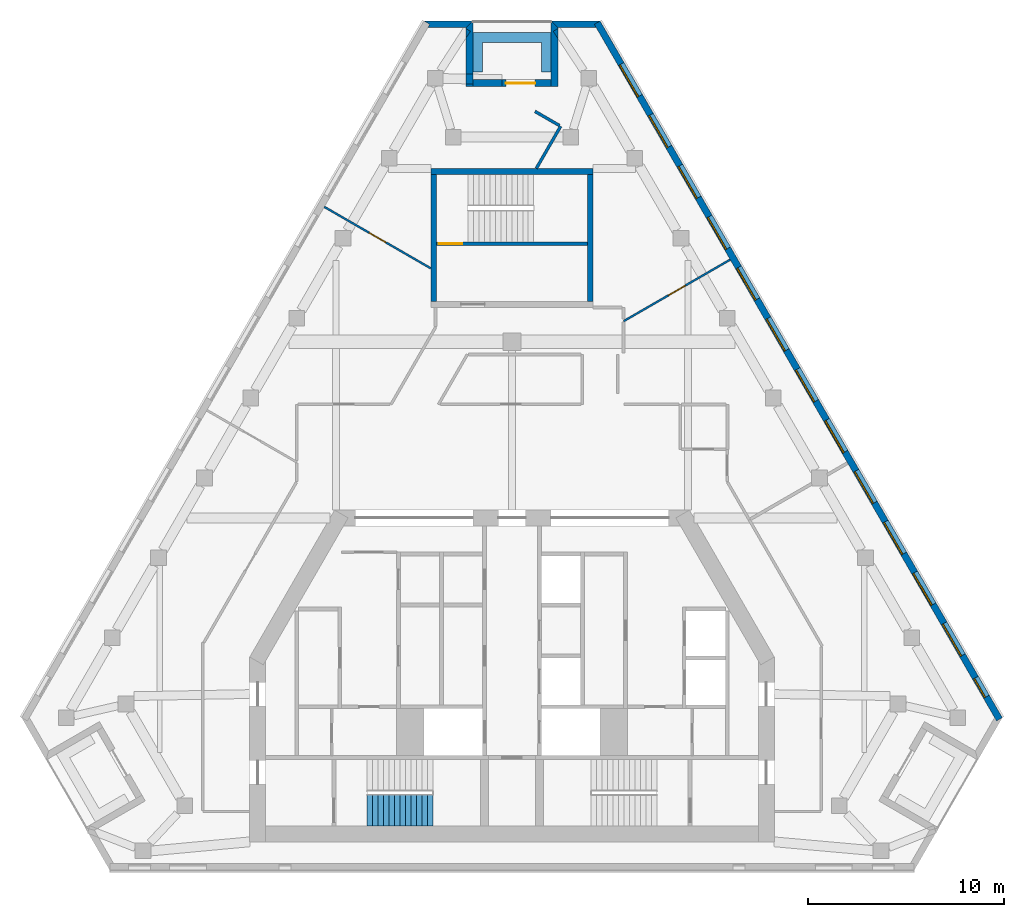
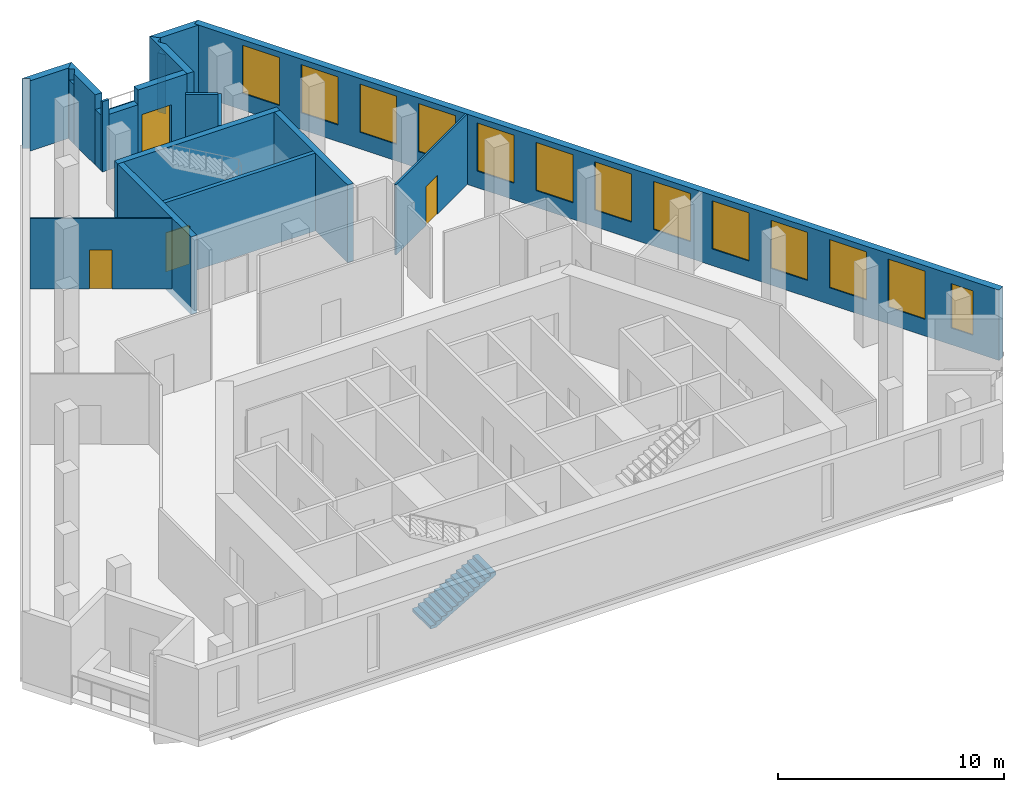
# One storey, part 6 of 8: 20 walls, 13 windows, 4 doors, 1 stair flight, 17 openings, 1 element without a shape of its own.
"""IFC4 building model written with IfcOpenShell, lengths in metres."""

from ifc_helpers import new_model, si_unit, direction, frame, frame_2d, origin, place, context, subcontext, project, spatial, polyline, rectangle, outline, extrude, material, layer, layer_set, type_object, element, fill, aggregate, save


model = new_model("IFC4")

# Units and contexts
model_context = context("Model", 3, precision=1e-05, world=origin(), true_north=direction((0.0, 1.0)))
body_context = subcontext(model_context, "Body", "Model", "MODEL_VIEW")
ifc_project = project(units=[si_unit("LENGTHUNIT", "METRE"), si_unit("AREAUNIT", "SQUARE_METRE"), si_unit("VOLUMEUNIT", "CUBIC_METRE"), si_unit("PLANEANGLEUNIT", "RADIAN"), si_unit("MASSUNIT", "GRAM", prefix="KILO")], contexts=[model_context])

# Site, building, storey
site_placement = place(None, origin())
site = spatial("IfcSite", under=ifc_project, at=site_placement, CompositionType="ELEMENT")
building_placement = place(site_placement, origin())
building = spatial("IfcBuilding", under=site, at=building_placement, Name="Fogline Exchange Tower", CompositionType="ELEMENT")
storey_placement = place(building_placement, frame((0.0, 0.0, 296.10009765625)))
storey = spatial("IfcBuildingStorey", under=building, at=storey_placement, Name="L67", CompositionType="ELEMENT", Elevation=296.10009765625)

# Wall, opening, door
ifc_material_1 = material(Name="Concrete C40", Category="concrete")
ifc_layer_1 = layer(ifc_material_1, 0.199951171875)
ifc_layer_set_1 = layer_set([ifc_layer_1], Name="CW20R")
wall_type_1 = type_object("IfcWallType", Name="CW20R", PredefinedType="SOLIDWALL", material=ifc_layer_set_1)
wall_1_placement = place(storey_placement, frame((-3.85009765625, 32.007080078125, -0.400146484375), z_axis=(0.0, 0.0, 1.0), x_axis=(1.0, 0.0, 0.0)))
wall_1 = element("IfcWall", 1, at=wall_1_placement, inside=storey, type_object=wall_type_1, Name="Stair enclosure wall ST3", PredefinedType="SOLIDWALL", context=body_context, shape_type="SweptSolid", body=[
    extrude(rectangle(XDim=7.7001953125, YDim=0.199951171875, at=frame_2d((3.85009765625, 0.0))), origin(), (0.0, 0.0, 1.0), 4.199951171875),
])
opening_1_placement = place(wall_1_placement, frame((0.10009765625, 0.0, 0.39990234375)))
opening_1 = element("IfcOpeningElement", 2, at=opening_1_placement, cuts=wall_1, Name="Opening T21-C024", PredefinedType="OPENING", context=body_context, shape_type="SweptSolid", body=[
    extrude(rectangle(XDim=1.199951171875, YDim=2.10009765625, at=frame_2d((0.60009765625, 1.050048828125))), frame((0.0, 0.10986328125, 0.0), z_axis=(0.0, -1.0, 0.0), x_axis=(1.0, 0.0, 0.0)), (0.0, 0.0, 1.0), 0.219970703125),
])
ifc_material_2 = material(Name="Steel and timber fire door", Category="steel")
door_type_1 = type_object("IfcDoorType", Name="D-ST1", OperationType="SINGLE_SWING_LEFT", PredefinedType="DOOR", material=ifc_material_2)
door_1_placement = place(opening_1_placement, origin())
door_1 = element("IfcDoor", 3, at=door_1_placement, inside=storey, type_object=door_type_1, Name="Stair door ST3", OperationType="SINGLE_SWING_LEFT", OverallHeight=2.10009765625, OverallWidth=1.199951171875, PredefinedType="DOOR", context=body_context, shape_type="SweptSolid", body=[
    extrude(rectangle(XDim=1.199951171875, YDim=2.10009765625, at=frame_2d((0.60009765625, 1.050048828125))), frame((0.0, 0.02490234375, 0.0), z_axis=(0.0, -1.0, 0.0), x_axis=(1.0, 0.0, 0.0)), (0.0, 0.0, 1.0), 0.050048828125),
])
fill(opening_1, door_1)

# Walls
ifc_layer_2 = layer(ifc_material_1, 0.300048828125)
ifc_layer_set_2 = layer_set([ifc_layer_2], Name="CW30")
wall_type_2 = type_object("IfcWallType", Name="CW30", PredefinedType="SOLIDWALL", material=ifc_layer_set_2)
wall_2_placement = place(storey_placement, frame((-4.14990234375, 35.70703125, -0.400146484375), z_axis=(0.0, 0.0, 1.0), x_axis=(1.0, 0.0, 0.0)))
element("IfcWall", 4, at=wall_2_placement, inside=storey, type_object=wall_type_2, Name="Stair enclosure wall ST3", PredefinedType="SOLIDWALL", context=body_context, shape_type="SweptSolid", body=[
    extrude(rectangle(XDim=8.2998046875, YDim=0.300048828125, at=frame_2d((4.14990234375, 0.0))), origin(), (0.0, 0.0, 1.0), 4.199951171875),
])
for number, where, z_axis, x_axis, name in (
    (5, (-4.0, 29.056884765625, -0.400146484375), (0.0, 0.0, 1.0), (0.0, 1.0, 0.0), "Stair enclosure wall ST3"),
    (6, (4.0, 29.056884765625, -0.400146484375), (0.0, 0.0, 1.0), (0.0, 1.0, 0.0), "Stair enclosure wall ST3"),
):
    element("IfcWall", number, at=place(storey_placement, frame(where, z_axis=z_axis, x_axis=x_axis)), inside=storey, type_object=wall_type_2, Name=name, PredefinedType="SOLIDWALL", context=body_context, shape_type="SweptSolid", body=[
        extrude(rectangle(XDim=6.5, YDim=0.300048828125, at=frame_2d((3.25, 0.0))), origin(), (0.0, 0.0, 1.0), 4.199951171875),
    ])

# Wall, openings, windows
ifc_material_3 = material(Name="Brick masonry", Category="masonry")
ifc_layer_3 = layer(ifc_material_3, 0.340087890625)
ifc_layer_set_3 = layer_set([ifc_layer_3], Name="FW1")
wall_type_3 = type_object("IfcWallType", Name="FW1", PredefinedType="SOLIDWALL", material=ifc_layer_set_3)
wall_3_placement = place(storey_placement, frame((24.905029296875, 7.709228515625, 0.0), z_axis=(0.0, 0.0, 1.0), x_axis=(-0.50000128873, 0.866024659735, 0.0)))
wall_3 = element("IfcWall", 7, at=wall_3_placement, inside=storey, type_object=wall_type_3, Name="Brick wall L67 E", PredefinedType="SOLIDWALL", context=body_context, shape_type="SweptSolid", body=[
    extrude(rectangle(XDim=41.1044921875, YDim=0.340087890625, at=frame_2d((20.55224609375, 0.0))), origin(), (0.0, 0.0, 1.0), 3.7998046875),
])
opening_2_placement = place(wall_3_placement, frame((3.776123046875, 0.0, 0.89990234375)))
opening_2 = element("IfcOpeningElement", 8, at=opening_2_placement, cuts=wall_3, Name="Opening W3", PredefinedType="OPENING", context=body_context, shape_type="SweptSolid", body=[
    extrude(rectangle(XDim=1.885009765625, YDim=2.60009765625, at=frame_2d((0.9423828125, 1.300048828125))), frame((0.0, 0.18017578125, 0.0), z_axis=(0.0, -1.0, 0.0), x_axis=(1.0, 0.0, 0.0)), (0.0, 0.0, 1.0), 0.360107421875),
])
opening_3_placement = place(wall_3_placement, frame((6.776123046875, 0.0, 0.89990234375)))
opening_3 = element("IfcOpeningElement", 9, at=opening_3_placement, cuts=wall_3, Name="Opening W3", PredefinedType="OPENING", context=body_context, shape_type="SweptSolid", body=[
    extrude(rectangle(XDim=1.885009765625, YDim=2.60009765625, at=frame_2d((0.9423828125, 1.300048828125))), frame((0.0, 0.18017578125, 0.0), z_axis=(0.0, -1.0, 0.0), x_axis=(1.0, 0.0, 0.0)), (0.0, 0.0, 1.0), 0.360107421875),
])
opening_4_placement = place(wall_3_placement, frame((9.776123046875, 0.0, 0.89990234375)))
opening_4 = element("IfcOpeningElement", 10, at=opening_4_placement, cuts=wall_3, Name="Opening W3", PredefinedType="OPENING", context=body_context, shape_type="SweptSolid", body=[
    extrude(rectangle(XDim=1.885009765625, YDim=2.60009765625, at=frame_2d((0.9423828125, 1.300048828125))), frame((0.0, 0.18017578125, 0.0), z_axis=(0.0, -1.0, 0.0), x_axis=(1.0, 0.0, 0.0)), (0.0, 0.0, 1.0), 0.360107421875),
])
opening_5_placement = place(wall_3_placement, frame((12.776123046875, 0.0, 0.89990234375)))
opening_5 = element("IfcOpeningElement", 11, at=opening_5_placement, cuts=wall_3, Name="Opening W3", PredefinedType="OPENING", context=body_context, shape_type="SweptSolid", body=[
    extrude(rectangle(XDim=1.885009765625, YDim=2.60009765625, at=frame_2d((0.9423828125, 1.300048828125))), frame((0.0, 0.18017578125, 0.0), z_axis=(0.0, -1.0, 0.0), x_axis=(1.0, 0.0, 0.0)), (0.0, 0.0, 1.0), 0.360107421875),
])
opening_6_placement = place(wall_3_placement, frame((15.776123046875, 0.0, 0.89990234375)))
opening_6 = element("IfcOpeningElement", 12, at=opening_6_placement, cuts=wall_3, Name="Opening W3", PredefinedType="OPENING", context=body_context, shape_type="SweptSolid", body=[
    extrude(rectangle(XDim=1.885009765625, YDim=2.60009765625, at=frame_2d((0.9423828125, 1.300048828125))), frame((0.0, 0.18017578125, 0.0), z_axis=(0.0, -1.0, 0.0), x_axis=(1.0, 0.0, 0.0)), (0.0, 0.0, 1.0), 0.360107421875),
])
opening_7_placement = place(wall_3_placement, frame((18.776123046875, 0.0, 0.89990234375)))
opening_7 = element("IfcOpeningElement", 13, at=opening_7_placement, cuts=wall_3, Name="Opening W3", PredefinedType="OPENING", context=body_context, shape_type="SweptSolid", body=[
    extrude(rectangle(XDim=1.885009765625, YDim=2.60009765625, at=frame_2d((0.9423828125, 1.300048828125))), frame((0.0, 0.18017578125, 0.0), z_axis=(0.0, -1.0, 0.0), x_axis=(1.0, 0.0, 0.0)), (0.0, 0.0, 1.0), 0.360107421875),
])
opening_8_placement = place(wall_3_placement, frame((21.776123046875, 0.0, 0.89990234375)))
opening_8 = element("IfcOpeningElement", 14, at=opening_8_placement, cuts=wall_3, Name="Opening W3", PredefinedType="OPENING", context=body_context, shape_type="SweptSolid", body=[
    extrude(rectangle(XDim=1.885009765625, YDim=2.60009765625, at=frame_2d((0.9423828125, 1.300048828125))), frame((0.0, 0.18017578125, 0.0), z_axis=(0.0, -1.0, 0.0), x_axis=(1.0, 0.0, 0.0)), (0.0, 0.0, 1.0), 0.360107421875),
])
opening_9_placement = place(wall_3_placement, frame((24.776123046875, 0.0, 0.89990234375)))
opening_9 = element("IfcOpeningElement", 15, at=opening_9_placement, cuts=wall_3, Name="Opening W3", PredefinedType="OPENING", context=body_context, shape_type="SweptSolid", body=[
    extrude(rectangle(XDim=1.885009765625, YDim=2.60009765625, at=frame_2d((0.9423828125, 1.300048828125))), frame((0.0, 0.18017578125, 0.0), z_axis=(0.0, -1.0, 0.0), x_axis=(1.0, 0.0, 0.0)), (0.0, 0.0, 1.0), 0.360107421875),
])
opening_10_placement = place(wall_3_placement, frame((27.776123046875, 0.0, 0.89990234375)))
opening_10 = element("IfcOpeningElement", 16, at=opening_10_placement, cuts=wall_3, Name="Opening W3", PredefinedType="OPENING", context=body_context, shape_type="SweptSolid", body=[
    extrude(rectangle(XDim=1.885009765625, YDim=2.60009765625, at=frame_2d((0.9423828125, 1.300048828125))), frame((0.0, 0.18017578125, 0.0), z_axis=(0.0, -1.0, 0.0), x_axis=(1.0, 0.0, 0.0)), (0.0, 0.0, 1.0), 0.360107421875),
])
opening_11_placement = place(wall_3_placement, frame((30.776123046875, 0.0, 0.89990234375)))
opening_11 = element("IfcOpeningElement", 17, at=opening_11_placement, cuts=wall_3, Name="Opening W3", PredefinedType="OPENING", context=body_context, shape_type="SweptSolid", body=[
    extrude(rectangle(XDim=1.885009765625, YDim=2.60009765625, at=frame_2d((0.9423828125, 1.300048828125))), frame((0.0, 0.18017578125, 0.0), z_axis=(0.0, -1.0, 0.0), x_axis=(1.0, 0.0, 0.0)), (0.0, 0.0, 1.0), 0.360107421875),
])
opening_12_placement = place(wall_3_placement, frame((33.776123046875, 0.0, 0.89990234375)))
opening_12 = element("IfcOpeningElement", 18, at=opening_12_placement, cuts=wall_3, Name="Opening W3", PredefinedType="OPENING", context=body_context, shape_type="SweptSolid", body=[
    extrude(rectangle(XDim=1.885009765625, YDim=2.60009765625, at=frame_2d((0.9423828125, 1.300048828125))), frame((0.0, 0.18017578125, 0.0), z_axis=(0.0, -1.0, 0.0), x_axis=(1.0, 0.0, 0.0)), (0.0, 0.0, 1.0), 0.360107421875),
])
opening_13_placement = place(wall_3_placement, frame((36.776123046875, 0.0, 0.89990234375)))
opening_13 = element("IfcOpeningElement", 19, at=opening_13_placement, cuts=wall_3, Name="Opening W3", PredefinedType="OPENING", context=body_context, shape_type="SweptSolid", body=[
    extrude(rectangle(XDim=1.885009765625, YDim=2.60009765625, at=frame_2d((0.9423828125, 1.300048828125))), frame((0.0, 0.18017578125, 0.0), z_axis=(0.0, -1.0, 0.0), x_axis=(1.0, 0.0, 0.0)), (0.0, 0.0, 1.0), 0.360107421875),
])
opening_14_placement = place(wall_3_placement, frame((1.33056640625, 0.0, 0.89990234375)))
opening_14 = element("IfcOpeningElement", 20, at=opening_14_placement, cuts=wall_3, Name="Opening W4", PredefinedType="OPENING", context=body_context, shape_type="SweptSolid", body=[
    extrude(rectangle(XDim=1.114990234375, YDim=2.39990234375, at=frame_2d((0.5576171875, 1.199951171875))), frame((0.0, 0.18017578125, 0.0), z_axis=(0.0, -1.0, 0.0), x_axis=(1.0, 0.0, 0.0)), (0.0, 0.0, 1.0), 0.360107421875),
])
ifc_material_4 = material(Name="Aluminium and glass", Category="aluminium")
window_type_1 = type_object("IfcWindowType", Name="W3", PartitioningType="SINGLE_PANEL", PredefinedType="WINDOW", material=ifc_material_4)
window_1_placement = place(opening_2_placement, origin())
window_1 = element("IfcWindow", 21, at=window_1_placement, inside=storey, type_object=window_type_1, Name="W3 W3", OverallHeight=2.60009765625, OverallWidth=1.885009765625, PartitioningType="SINGLE_PANEL", PredefinedType="WINDOW", context=body_context, shape_type="SweptSolid", body=[
    extrude(rectangle(XDim=1.885009765625, YDim=2.60009765625, at=frame_2d((0.9423828125, 1.300048828125))), frame((0.0, 0.110107421875, 0.0), z_axis=(0.0, -1.0, 0.0), x_axis=(1.0, 0.0, 0.0)), (0.0, 0.0, 1.0), 0.06005859375),
])
fill(opening_2, window_1)
window_2_placement = place(opening_3_placement, origin())
window_2 = element("IfcWindow", 22, at=window_2_placement, inside=storey, type_object=window_type_1, Name="W3 W3", OverallHeight=2.60009765625, OverallWidth=1.885009765625, PartitioningType="SINGLE_PANEL", PredefinedType="WINDOW", context=body_context, shape_type="SweptSolid", body=[
    extrude(rectangle(XDim=1.885009765625, YDim=2.60009765625, at=frame_2d((0.9423828125, 1.300048828125))), frame((0.0, 0.110107421875, 0.0), z_axis=(0.0, -1.0, 0.0), x_axis=(1.0, 0.0, 0.0)), (0.0, 0.0, 1.0), 0.06005859375),
])
fill(opening_3, window_2)
window_3_placement = place(opening_4_placement, origin())
window_3 = element("IfcWindow", 23, at=window_3_placement, inside=storey, type_object=window_type_1, Name="W3 W3", OverallHeight=2.60009765625, OverallWidth=1.885009765625, PartitioningType="SINGLE_PANEL", PredefinedType="WINDOW", context=body_context, shape_type="SweptSolid", body=[
    extrude(rectangle(XDim=1.885009765625, YDim=2.60009765625, at=frame_2d((0.9423828125, 1.300048828125))), frame((0.0, 0.110107421875, 0.0), z_axis=(0.0, -1.0, 0.0), x_axis=(1.0, 0.0, 0.0)), (0.0, 0.0, 1.0), 0.06005859375),
])
fill(opening_4, window_3)
window_4_placement = place(opening_5_placement, origin())
window_4 = element("IfcWindow", 24, at=window_4_placement, inside=storey, type_object=window_type_1, Name="W3 W3", OverallHeight=2.60009765625, OverallWidth=1.885009765625, PartitioningType="SINGLE_PANEL", PredefinedType="WINDOW", context=body_context, shape_type="SweptSolid", body=[
    extrude(rectangle(XDim=1.885009765625, YDim=2.60009765625, at=frame_2d((0.9423828125, 1.300048828125))), frame((0.0, 0.110107421875, 0.0), z_axis=(0.0, -1.0, 0.0), x_axis=(1.0, 0.0, 0.0)), (0.0, 0.0, 1.0), 0.06005859375),
])
fill(opening_5, window_4)
window_5_placement = place(opening_6_placement, origin())
window_5 = element("IfcWindow", 25, at=window_5_placement, inside=storey, type_object=window_type_1, Name="W3 W3", OverallHeight=2.60009765625, OverallWidth=1.885009765625, PartitioningType="SINGLE_PANEL", PredefinedType="WINDOW", context=body_context, shape_type="SweptSolid", body=[
    extrude(rectangle(XDim=1.885009765625, YDim=2.60009765625, at=frame_2d((0.9423828125, 1.300048828125))), frame((0.0, 0.110107421875, 0.0), z_axis=(0.0, -1.0, 0.0), x_axis=(1.0, 0.0, 0.0)), (0.0, 0.0, 1.0), 0.06005859375),
])
fill(opening_6, window_5)
window_6_placement = place(opening_7_placement, origin())
window_6 = element("IfcWindow", 26, at=window_6_placement, inside=storey, type_object=window_type_1, Name="W3 W3", OverallHeight=2.60009765625, OverallWidth=1.885009765625, PartitioningType="SINGLE_PANEL", PredefinedType="WINDOW", context=body_context, shape_type="SweptSolid", body=[
    extrude(rectangle(XDim=1.885009765625, YDim=2.60009765625, at=frame_2d((0.9423828125, 1.300048828125))), frame((0.0, 0.110107421875, 0.0), z_axis=(0.0, -1.0, 0.0), x_axis=(1.0, 0.0, 0.0)), (0.0, 0.0, 1.0), 0.06005859375),
])
fill(opening_7, window_6)
window_7_placement = place(opening_8_placement, origin())
window_7 = element("IfcWindow", 27, at=window_7_placement, inside=storey, type_object=window_type_1, Name="W3 W3", OverallHeight=2.60009765625, OverallWidth=1.885009765625, PartitioningType="SINGLE_PANEL", PredefinedType="WINDOW", context=body_context, shape_type="SweptSolid", body=[
    extrude(rectangle(XDim=1.885009765625, YDim=2.60009765625, at=frame_2d((0.9423828125, 1.300048828125))), frame((0.0, 0.110107421875, 0.0), z_axis=(0.0, -1.0, 0.0), x_axis=(1.0, 0.0, 0.0)), (0.0, 0.0, 1.0), 0.06005859375),
])
fill(opening_8, window_7)
window_8_placement = place(opening_9_placement, origin())
window_8 = element("IfcWindow", 28, at=window_8_placement, inside=storey, type_object=window_type_1, Name="W3 W3", OverallHeight=2.60009765625, OverallWidth=1.885009765625, PartitioningType="SINGLE_PANEL", PredefinedType="WINDOW", context=body_context, shape_type="SweptSolid", body=[
    extrude(rectangle(XDim=1.885009765625, YDim=2.60009765625, at=frame_2d((0.9423828125, 1.300048828125))), frame((0.0, 0.110107421875, 0.0), z_axis=(0.0, -1.0, 0.0), x_axis=(1.0, 0.0, 0.0)), (0.0, 0.0, 1.0), 0.06005859375),
])
fill(opening_9, window_8)
window_9_placement = place(opening_10_placement, origin())
window_9 = element("IfcWindow", 29, at=window_9_placement, inside=storey, type_object=window_type_1, Name="W3 W3", OverallHeight=2.60009765625, OverallWidth=1.885009765625, PartitioningType="SINGLE_PANEL", PredefinedType="WINDOW", context=body_context, shape_type="SweptSolid", body=[
    extrude(rectangle(XDim=1.885009765625, YDim=2.60009765625, at=frame_2d((0.9423828125, 1.300048828125))), frame((0.0, 0.110107421875, 0.0), z_axis=(0.0, -1.0, 0.0), x_axis=(1.0, 0.0, 0.0)), (0.0, 0.0, 1.0), 0.06005859375),
])
fill(opening_10, window_9)
window_10_placement = place(opening_11_placement, origin())
window_10 = element("IfcWindow", 30, at=window_10_placement, inside=storey, type_object=window_type_1, Name="W3 W3", OverallHeight=2.60009765625, OverallWidth=1.885009765625, PartitioningType="SINGLE_PANEL", PredefinedType="WINDOW", context=body_context, shape_type="SweptSolid", body=[
    extrude(rectangle(XDim=1.885009765625, YDim=2.60009765625, at=frame_2d((0.9423828125, 1.300048828125))), frame((0.0, 0.110107421875, 0.0), z_axis=(0.0, -1.0, 0.0), x_axis=(1.0, 0.0, 0.0)), (0.0, 0.0, 1.0), 0.06005859375),
])
fill(opening_11, window_10)
window_11_placement = place(opening_12_placement, origin())
window_11 = element("IfcWindow", 31, at=window_11_placement, inside=storey, type_object=window_type_1, Name="W3 W3", OverallHeight=2.60009765625, OverallWidth=1.885009765625, PartitioningType="SINGLE_PANEL", PredefinedType="WINDOW", context=body_context, shape_type="SweptSolid", body=[
    extrude(rectangle(XDim=1.885009765625, YDim=2.60009765625, at=frame_2d((0.9423828125, 1.300048828125))), frame((0.0, 0.110107421875, 0.0), z_axis=(0.0, -1.0, 0.0), x_axis=(1.0, 0.0, 0.0)), (0.0, 0.0, 1.0), 0.06005859375),
])
fill(opening_12, window_11)
window_12_placement = place(opening_13_placement, origin())
window_12 = element("IfcWindow", 32, at=window_12_placement, inside=storey, type_object=window_type_1, Name="W3 W3", OverallHeight=2.60009765625, OverallWidth=1.885009765625, PartitioningType="SINGLE_PANEL", PredefinedType="WINDOW", context=body_context, shape_type="SweptSolid", body=[
    extrude(rectangle(XDim=1.885009765625, YDim=2.60009765625, at=frame_2d((0.9423828125, 1.300048828125))), frame((0.0, 0.110107421875, 0.0), z_axis=(0.0, -1.0, 0.0), x_axis=(1.0, 0.0, 0.0)), (0.0, 0.0, 1.0), 0.06005859375),
])
fill(opening_13, window_12)
window_type_2 = type_object("IfcWindowType", Name="W4", PartitioningType="SINGLE_PANEL", PredefinedType="WINDOW", material=ifc_material_4)
window_13_placement = place(opening_14_placement, origin())
window_13 = element("IfcWindow", 33, at=window_13_placement, inside=storey, type_object=window_type_2, Name="W4 W4", OverallHeight=2.39990234375, OverallWidth=1.114990234375, PartitioningType="SINGLE_PANEL", PredefinedType="WINDOW", context=body_context, shape_type="SweptSolid", body=[
    extrude(rectangle(XDim=1.114990234375, YDim=2.39990234375, at=frame_2d((0.5576171875, 1.199951171875))), frame((0.0, 0.110107421875, 0.0), z_axis=(0.0, -1.0, 0.0), x_axis=(1.0, 0.0, 0.0)), (0.0, 0.0, 1.0), 0.06005859375),
])
fill(opening_14, window_13)

# Walls
wall_4_placement = place(storey_placement, origin())
element("IfcWall", 34, at=wall_4_placement, inside=storey, type_object=wall_type_3, Name="Brick wall L67 N-c1", PredefinedType="SOLIDWALL", context=body_context, shape_type="SweptSolid", body=[
    extrude(outline(polyline([(1.9990234375, 43.392333984375), (4.5009765625, 43.392333984375), (4.501220703125, 43.3916015625), (4.206298828125, 43.221435546875), (4.3046875, 43.051025390625), (2.33984375, 43.051025390625), (1.998779296875, 43.39208984375), (1.9990234375, 43.392333984375)])), origin(), (0.0, 0.0, 1.0), 3.7998046875),
])
wall_5_placement = place(storey_placement, origin())
element("IfcWall", 35, at=wall_5_placement, inside=storey, type_object=wall_type_3, Name="Brick wall L67 N-s1", PredefinedType="SOLIDWALL", context=body_context, shape_type="SweptSolid", body=[
    extrude(outline(polyline([(2.340576171875, 42.503173828125), (2.107177734375, 42.859130859375), (2.340576171875, 43.012451171875), (2.340576171875, 42.503173828125)])), origin(), (0.0, 0.0, 1.0), 3.199951171875),
])
wall_6_placement = place(storey_placement, origin())
element("IfcWall", 36, at=wall_6_placement, inside=storey, type_object=wall_type_3, Name="Brick wall L67 N-s1", PredefinedType="SOLIDWALL", context=body_context, shape_type="SweptSolid", body=[
    extrude(outline(polyline([(1.99951171875, 40.051025390625), (1.99951171875, 43.392578125), (1.999755859375, 43.392822265625), (2.340576171875, 43.052001953125), (2.340576171875, 43.012451171875), (2.107177734375, 42.859130859375), (2.340576171875, 42.503173828125), (2.340576171875, 40.051025390625), (1.99951171875, 40.051025390625)])), origin(), (0.0, 0.0, 1.0), 3.7998046875),
])

# Wall, opening, door
wall_7_placement = place(storey_placement, frame((2.0, 40.2216796875, 0.0), z_axis=(0.0, 0.0, 1.0), x_axis=(-1.0, 0.0, 0.0)))
wall_7 = element("IfcWall", 37, at=wall_7_placement, inside=storey, type_object=wall_type_3, Name="Brick wall L67 N-bk", PredefinedType="SOLIDWALL", context=body_context, shape_type="SweptSolid", body=[
    extrude(rectangle(XDim=2.51416015625, YDim=0.340087890625, at=frame_2d((1.257080078125, 0.0))), origin(), (0.0, 0.0, 1.0), 3.7998046875),
])
opening_15_placement = place(wall_7_placement, frame((0.81396484375, 0.0, 0.0)))
opening_15 = element("IfcOpeningElement", 38, at=opening_15_placement, cuts=wall_7, Name="Opening T21-E141", PredefinedType="OPENING", context=body_context, shape_type="SweptSolid", body=[
    extrude(rectangle(XDim=1.5, YDim=2.39990234375, at=frame_2d((0.75, 1.199951171875))), frame((0.0, 0.18017578125, 0.0), z_axis=(0.0, -1.0, 0.0), x_axis=(1.0, 0.0, 0.0)), (0.0, 0.0, 1.0), 0.360107421875),
])
door_type_2 = type_object("IfcDoorType", Name="ED4", OperationType="SINGLE_SWING_LEFT", PredefinedType="DOOR", material=ifc_material_4)
door_2_placement = place(opening_15_placement, frame((1.5, 0.0, 0.0), z_axis=(0.0, 0.0, 1.0), x_axis=(-1.0, 0.0, 0.0)))
door_2 = element("IfcDoor", 39, at=door_2_placement, inside=storey, type_object=door_type_2, Name="Balcony door L67 N", OperationType="DOUBLE_DOOR_SINGLE_SWING", OverallHeight=2.39990234375, OverallWidth=1.5, PredefinedType="DOOR", context=body_context, shape_type="SweptSolid", body=[
    extrude(rectangle(XDim=1.5, YDim=2.39990234375, at=frame_2d((0.75, 1.199951171875))), frame((0.0, 0.02490234375, 0.0), z_axis=(0.0, -1.0, 0.0), x_axis=(1.0, 0.0, 0.0)), (0.0, 0.0, 1.0), 0.050048828125),
])
fill(opening_15, door_2)

# Walls
wall_8_placement = place(storey_placement, frame((-0.51416015625, 40.2216796875, 0.0), z_axis=(0.0, 0.0, 1.0), x_axis=(-1.0, 0.0, 0.0)))
element("IfcWall", 40, at=wall_8_placement, inside=storey, type_object=wall_type_3, Name="Brick wall L67 N-bk", PredefinedType="SOLIDWALL", context=body_context, shape_type="SweptSolid", body=[
    extrude(rectangle(XDim=1.48583984375, YDim=0.340087890625, at=frame_2d((0.742919921875, 0.0))), origin(), (0.0, 0.0, 1.0), 3.0),
])
wall_9_placement = place(storey_placement, origin())
element("IfcWall", 41, at=wall_9_placement, inside=storey, type_object=wall_type_3, Name="Brick wall L67 N-s2", PredefinedType="SOLIDWALL", context=body_context, shape_type="SweptSolid", body=[
    extrude(outline(polyline([(-1.99951171875, 40.174560546875), (-2.340576171875, 40.180419921875), (-2.340576171875, 40.680419921875), (-1.99951171875, 40.6748046875), (-1.99951171875, 40.174560546875)])), origin(), (0.0, 0.0, 1.0), 3.0),
])
wall_10_placement = place(storey_placement, origin())
element("IfcWall", 42, at=wall_10_placement, inside=storey, type_object=wall_type_3, Name="Brick wall L67 N-s2", PredefinedType="SOLIDWALL", context=body_context, shape_type="SweptSolid", body=[
    extrude(outline(polyline([(-2.340576171875, 43.00146484375), (-2.126953125, 42.86328125), (-2.340576171875, 42.533203125), (-2.340576171875, 43.00146484375)])), origin(), (0.0, 0.0, 1.0), 3.199951171875),
])
wall_11_placement = place(storey_placement, origin())
element("IfcWall", 43, at=wall_11_placement, inside=storey, type_object=wall_type_3, Name="Brick wall L67 N-s2", PredefinedType="SOLIDWALL", context=body_context, shape_type="SweptSolid", body=[
    extrude(outline(polyline([(-2.340576171875, 40.680419921875), (-2.340576171875, 42.533203125), (-2.126953125, 42.86328125), (-2.340576171875, 43.00146484375), (-2.340576171875, 43.052001953125), (-1.999755859375, 43.392822265625), (-1.99951171875, 43.392578125), (-1.99951171875, 40.6748046875), (-2.340576171875, 40.680419921875)])), origin(), (0.0, 0.0, 1.0), 3.7998046875),
])
wall_12_placement = place(storey_placement, origin())
element("IfcWall", 44, at=wall_12_placement, inside=storey, type_object=wall_type_3, Name="Brick wall L67 N-s2", PredefinedType="SOLIDWALL", context=body_context, shape_type="SweptSolid", body=[
    extrude(outline(polyline([(-2.340576171875, 40.051025390625), (-2.340576171875, 40.180419921875), (-1.99951171875, 40.174560546875), (-1.99951171875, 40.051025390625), (-2.340576171875, 40.051025390625)])), origin(), (0.0, 0.0, 1.0), 3.7998046875),
])
wall_13_placement = place(storey_placement, origin())
element("IfcWall", 45, at=wall_13_placement, inside=storey, type_object=wall_type_3, Name="Brick wall L67 N-c2", PredefinedType="SOLIDWALL", context=body_context, shape_type="SweptSolid", body=[
    extrude(outline(polyline([(-4.3046875, 43.051025390625), (-4.206298828125, 43.221435546875), (-4.501220703125, 43.3916015625), (-4.5009765625, 43.392333984375), (-1.9990234375, 43.392333984375), (-1.998779296875, 43.39208984375), (-2.33984375, 43.051025390625), (-4.3046875, 43.051025390625)])), origin(), (0.0, 0.0, 1.0), 3.7998046875),
])
ifc_material_5 = material(Name="Concrete C30", Category="concrete")
ifc_layer_4 = layer(ifc_material_5, 0.199951171875)
ifc_layer_set_4 = layer_set([ifc_layer_4], Name="PL1")
wall_type_4 = type_object("IfcWallType", Name="PL1", PredefinedType="USERDEFINED", material=ifc_layer_set_4)
wall_14_placement = place(storey_placement, origin())
element("IfcWall", 46, at=wall_14_placement, inside=storey, type_object=wall_type_4, Name="PLANTER balcony L67 N", ObjectType="PLANTER", PredefinedType="USERDEFINED", context=body_context, shape_type="SweptSolid", body=[
    extrude(outline(polyline([(-1.5, 42.791748046875), (-2.0, 42.791748046875), (-2.0, 42.291748046875), (-2.0, 40.791748046875), (-1.5, 40.791748046875), (-1.5, 42.291748046875), (1.5, 42.291748046875), (1.5, 40.791748046875), (2.0, 40.791748046875), (2.0, 42.291748046875), (2.0, 42.791748046875), (1.5, 42.791748046875), (-1.5, 42.791748046875)])), origin(), (0.0, 0.0, 1.0), 1.099853515625),
])

# Wall, opening, door
ifc_material_6 = material(Name="Plasterboard partition, 2 layers each side on steel studs", Category="steel")
ifc_layer_5 = layer(ifc_material_6, 0.10009765625)
ifc_layer_set_5 = layer_set([ifc_layer_5], Name="PW1")
wall_type_5 = type_object("IfcWallType", Name="PW1", PredefinedType="PARTITIONING", material=ifc_layer_set_5)
wall_15_placement = place(storey_placement, frame((5.699951171875, 28.050537109375, 0.0), z_axis=(0.0, 0.0, 1.0), x_axis=(0.866020798945, 0.500007975732, 0.0)))
wall_15 = element("IfcWall", 47, at=wall_15_placement, inside=storey, type_object=wall_type_5, Name="wall-L67-W027", PredefinedType="PARTITIONING", context=body_context, shape_type="SweptSolid", body=[
    extrude(rectangle(XDim=6.29150390625, YDim=0.10009765625, at=frame_2d((3.145751953125, 0.0))), origin(), (0.0, 0.0, 1.0), 3.7998046875),
])
opening_16_placement = place(wall_15_placement, frame((2.6455078125, 0.0, 0.0)))
opening_16 = element("IfcOpeningElement", 48, at=opening_16_placement, cuts=wall_15, Name="Opening T21-D007", PredefinedType="OPENING", context=body_context, shape_type="SweptSolid", body=[
    extrude(rectangle(XDim=1.0, YDim=2.10009765625, at=frame_2d((0.5, 1.050048828125))), frame((0.0, 0.06005859375, 0.0), z_axis=(0.0, -1.0, 0.0), x_axis=(1.0, 0.0, 0.0)), (0.0, 0.0, 1.0), 0.1201171875),
])
ifc_material_7 = material(Name="Timber door leaf with steel frame", Category="steel")
door_type_3 = type_object("IfcDoorType", Name="D1", OperationType="SINGLE_SWING_LEFT", PredefinedType="DOOR", material=ifc_material_7)
door_3_placement = place(opening_16_placement, origin())
door_3 = element("IfcDoor", 49, at=door_3_placement, inside=storey, type_object=door_type_3, Name="door-L67-D007", OperationType="SINGLE_SWING_LEFT", OverallHeight=2.10009765625, OverallWidth=1.0, PredefinedType="DOOR", context=body_context, shape_type="SweptSolid", body=[
    extrude(rectangle(XDim=1.0, YDim=2.10009765625, at=frame_2d((0.5, 1.050048828125))), frame((0.0, 0.02490234375, 0.0), z_axis=(0.0, -1.0, 0.0), x_axis=(1.0, 0.0, 0.0)), (0.0, 0.0, 1.0), 0.050048828125),
])
fill(opening_16, door_3)

wall_16_placement = place(storey_placement, frame((-4.14990234375, 30.752685546875, 0.0), z_axis=(0.0, 0.0, 1.0), x_axis=(-0.866039337855, 0.499975864706, 0.0)))
wall_16 = element("IfcWall", 50, at=wall_16_placement, inside=storey, type_object=wall_type_5, Name="wall-L67-W032", PredefinedType="PARTITIONING", context=body_context, shape_type="SweptSolid", body=[
    extrude(rectangle(XDim=6.282470703125, YDim=0.10009765625, at=frame_2d((3.14111328125, 0.0))), origin(), (0.0, 0.0, 1.0), 3.7998046875),
])
opening_17_placement = place(wall_16_placement, frame((2.641357421875, 0.0, 0.0)))
opening_17 = element("IfcOpeningElement", 51, at=opening_17_placement, cuts=wall_16, Name="Opening T21-D008", PredefinedType="OPENING", context=body_context, shape_type="SweptSolid", body=[
    extrude(rectangle(XDim=1.0, YDim=2.10009765625, at=frame_2d((0.5, 1.050048828125))), frame((0.0, 0.06005859375, 0.0), z_axis=(0.0, -1.0, 0.0), x_axis=(1.0, 0.0, 0.0)), (0.0, 0.0, 1.0), 0.1201171875),
])
door_4_placement = place(opening_17_placement, frame((1.0, 0.0, 0.0), z_axis=(0.0, 0.0, 1.0), x_axis=(-1.0, 0.0, 0.0)))
door_4 = element("IfcDoor", 52, at=door_4_placement, inside=storey, type_object=door_type_3, Name="door-L67-D008", OperationType="SINGLE_SWING_RIGHT", OverallHeight=2.10009765625, OverallWidth=1.0, PredefinedType="DOOR", context=body_context, shape_type="SweptSolid", body=[
    extrude(rectangle(XDim=1.0, YDim=2.10009765625, at=frame_2d((0.5, 1.050048828125))), frame((0.0, 0.02490234375, 0.0), z_axis=(0.0, -1.0, 0.0), x_axis=(1.0, 0.0, 0.0)), (0.0, 0.0, 1.0), 0.050048828125),
])
fill(opening_17, door_4)

# Walls
ifc_material_8 = material(Name="Plasterboard demising partition with mineral wool and acoustic board")
ifc_layer_6 = layer(ifc_material_8, 0.14990234375)
ifc_layer_set_6 = layer_set([ifc_layer_6], Name="PW3")
wall_type_6 = type_object("IfcWallType", Name="PW3", PredefinedType="PARTITIONING", material=ifc_layer_set_6)
wall_17_placement = place(storey_placement, frame((1.241943359375, 35.85693359375, 0.0), z_axis=(0.0, 0.0, 1.0), x_axis=(0.50001949124, 0.86601415022, 0.0)))
element("IfcWall", 53, at=wall_17_placement, inside=storey, type_object=wall_type_6, Name="wall-L67-W030", PredefinedType="PARTITIONING", context=body_context, shape_type="SweptSolid", body=[
    extrude(rectangle(XDim=2.490234375, YDim=0.14990234375, at=frame_2d((1.2451171875, 0.0))), origin(), (0.0, 0.0, 1.0), 3.7998046875),
])
wall_18_placement = place(storey_placement, frame((2.422119140625, 38.051025390625, 0.0), z_axis=(0.0, 0.0, 1.0), x_axis=(-0.866033125095, 0.499986626058, 0.0)))
element("IfcWall", 54, at=wall_18_placement, inside=storey, type_object=wall_type_6, Name="wall-L67-W031", PredefinedType="PARTITIONING", context=body_context, shape_type="SweptSolid", body=[
    extrude(rectangle(XDim=1.43994140625, YDim=0.14990234375, at=frame_2d((0.719970703125, 0.0))), origin(), (0.0, 0.0, 1.0), 3.7998046875),
])

# Stair, stair flight
stair_type = type_object("IfcStairType", Name="STR26-1615", PredefinedType="HALF_TURN_STAIR", material=ifc_material_1)
stair_placement = place(storey_placement, origin())
stair = element("IfcStair", 55, at=stair_placement, inside=storey, type_object=stair_type, Name="Stair ST1", PredefinedType="HALF_TURN_STAIR")
stair_flight_type = type_object("IfcStairFlightType", Name="SF13-1615", PredefinedType="STRAIGHT", material=ifc_material_1)
stair_flight_placement = place(storey_placement, frame((-7.39990234375, 3.050048828125, 0.0), z_axis=(0.0, 0.0, 1.0), x_axis=(1.0, 0.0, 0.0)))
stair_flight = element("IfcStairFlight", 56, at=stair_flight_placement, type_object=stair_flight_type, Name="ST1 flight 1", NumberOfRisers=13, NumberOfTreads=12, PredefinedType="STRAIGHT", RiserHeight=0.161538462, TreadLength=0.28, context=body_context, shape_type="SweptSolid", body=[
    extrude(outline(polyline([(0.0, 0.0), (0.0, 0.16162109375), (0.280029296875, 0.16162109375), (0.280029296875, 0.322998046875), (0.56005859375, 0.322998046875), (0.56005859375, 0.484619140625), (0.840087890625, 0.484619140625), (0.840087890625, 0.646240234375), (1.1201171875, 0.646240234375), (1.1201171875, 0.8076171875), (1.39990234375, 0.8076171875), (1.39990234375, 0.96923828125), (1.679931640625, 0.96923828125), (1.679931640625, 1.130859375), (1.9599609375, 1.130859375), (1.9599609375, 1.292236328125), (2.239990234375, 1.292236328125), (2.239990234375, 1.453857421875), (2.52001953125, 1.453857421875), (2.52001953125, 1.615478515625), (2.800048828125, 1.615478515625), (2.800048828125, 1.77685546875), (3.080078125, 1.77685546875), (3.080078125, 1.9384765625), (3.360107421875, 1.9384765625), (3.360107421875, 2.10009765625), (3.360107421875, 1.765380859375), (0.300048828125, 0.0), (0.0, 0.0)])), frame((0.0, 0.800048828125, 0.0), z_axis=(0.0, -1.0, 0.0), x_axis=(1.0, 0.0, 0.0)), (0.0, 0.0, 1.0), 1.60009765625),
])
aggregate(stair, [stair_flight])

save(model, "model.ifc")
